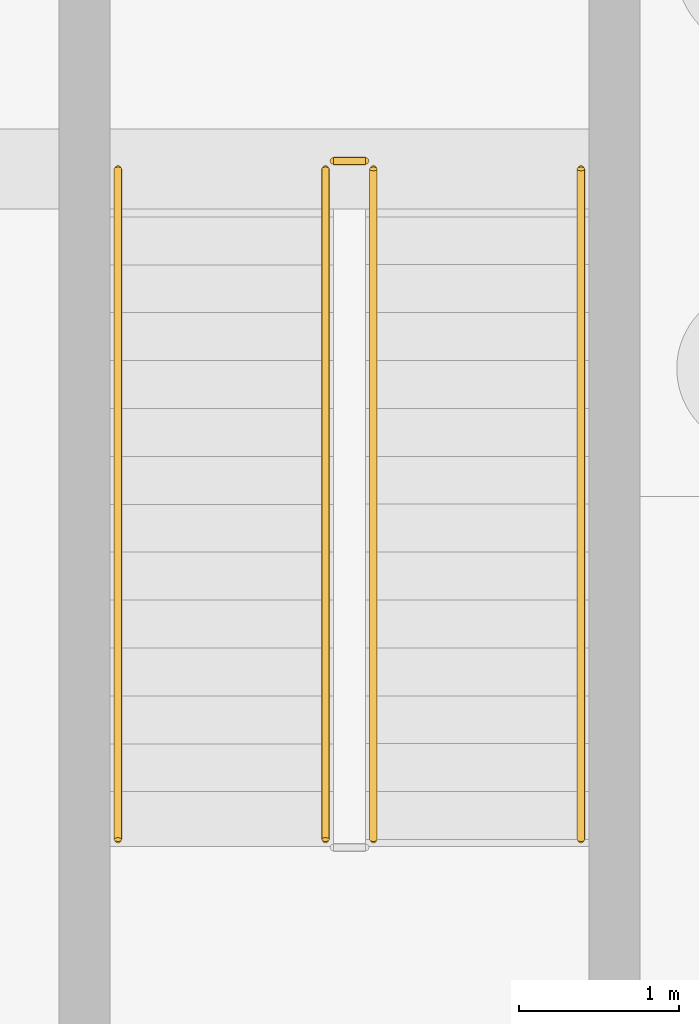
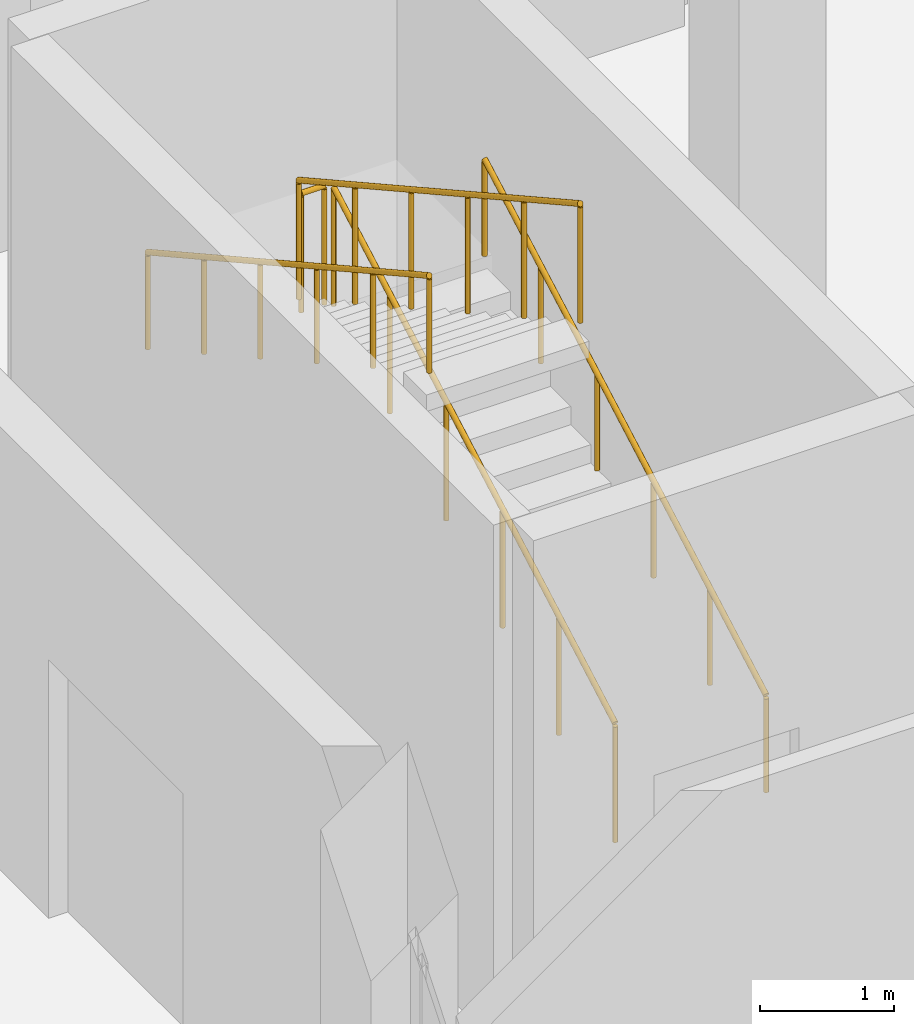
# One storey, part 164 of 173: 5 railings.
"""IFC4 building model written with IfcOpenShell, lengths in metres."""

from ifc_helpers import new_model, si_unit, direction, frame, origin, origin_2d, place, context, subcontext, project, spatial, circle, extrude, material, type_object, element, save


model = new_model("IFC4")

# Units and contexts
model_context = context("Model", 3, precision=1e-05, world=origin(), true_north=direction((0.0, 1.0)))
body_context = subcontext(model_context, "Body", "Model", "MODEL_VIEW")
ifc_project = project(units=[si_unit("LENGTHUNIT", "METRE"), si_unit("AREAUNIT", "SQUARE_METRE"), si_unit("VOLUMEUNIT", "CUBIC_METRE"), si_unit("PLANEANGLEUNIT", "RADIAN"), si_unit("MASSUNIT", "GRAM", prefix="KILO")], contexts=[model_context])

# Site, building, storey
site_placement = place(None, origin())
site = spatial("IfcSite", under=ifc_project, at=site_placement, CompositionType="ELEMENT")
building_placement = place(site_placement, origin())
building = spatial("IfcBuilding", under=site, at=building_placement, Name="Mawjan Specialist Oncology Clinic", CompositionType="ELEMENT")
storey_placement = place(building_placement, origin())
storey = spatial("IfcBuildingStorey", under=building, at=storey_placement, Name="L00", CompositionType="ELEMENT", Elevation=0.0)

# Railings
ifc_material_1 = material(Name="Powder-coated steel stair guard with vertical infill pickets", Category="steel")
railing_type_1 = type_object("IfcRailingType", Name="GR-110", PredefinedType="GUARDRAIL", material=ifc_material_1)
railing_1_placement = place(storey_placement, frame((3.85009765625, 26.60009765625, 0.166748046875)))
element("IfcRailing", 1, at=railing_1_placement, inside=storey, type_object=railing_type_1, Name="L00 ST-02 stair guard 1", PredefinedType="GUARDRAIL", context=body_context, shape_type="SweptSolid", body=[
    extrude(circle(Radius=0.02392578125, at=origin_2d()), frame((0.0, 0.0, 1.076171875), z_axis=(0.0, 0.874162069901, 0.485634302275), x_axis=(-1.0, 0.0, 0.0)), (0.0, 0.0, 1.0), 4.804443359375),
    extrude(circle(Radius=0.02099609375, at=origin_2d()), origin(), (0.0, 0.0, 1.0), 1.052001953125),
    extrude(circle(Radius=0.02099609375, at=origin_2d()), frame((0.0, 0.840087890625, 0.466552734375)), (0.0, 0.0, 1.0), 1.052001953125),
    extrude(circle(Radius=0.02099609375, at=origin_2d()), frame((0.0, 1.679931640625, 0.933349609375)), (0.0, 0.0, 1.0), 1.052001953125),
    extrude(circle(Radius=0.02099609375, at=origin_2d()), frame((0.0, 2.52001953125, 1.39990234375)), (0.0, 0.0, 1.0), 1.052001953125),
    extrude(circle(Radius=0.02099609375, at=origin_2d()), frame((0.0, 3.35986328125, 1.86669921875)), (0.0, 0.0, 1.0), 1.052001953125),
    extrude(circle(Radius=0.02099609375, at=origin_2d()), frame((0.0, 4.199951171875, 2.333251953125)), (0.0, 0.0, 1.0), 1.052001953125),
])
railing_2_placement = place(storey_placement, frame((3.800048828125, 30.85009765625, 2.5)))
element("IfcRailing", 2, at=railing_2_placement, inside=storey, type_object=railing_type_1, Name="L00 ST-02 stair guard 2", PredefinedType="GUARDRAIL", context=body_context, shape_type="SweptSolid", body=[
    extrude(circle(Radius=0.02392578125, at=origin_2d()), frame((0.0, 0.0, 1.076171875), z_axis=(-1.0, 0.0, 0.0), x_axis=(0.0, -1.0, 0.0)), (0.0, 0.0, 1.0), 0.199951171875),
    extrude(circle(Radius=0.02099609375, at=origin_2d()), origin(), (0.0, 0.0, 1.0), 1.052001953125),
    extrude(circle(Radius=0.02099609375, at=origin_2d()), frame((-0.199951171875, 0.0, 0.0)), (0.0, 0.0, 1.0), 1.052001953125),
])
railing_3_placement = place(storey_placement, frame((3.550048828125, 30.800048828125, 2.666748046875)))
element("IfcRailing", 3, at=railing_3_placement, inside=storey, type_object=railing_type_1, Name="L00 ST-02 stair guard 3", PredefinedType="GUARDRAIL", context=body_context, shape_type="SweptSolid", body=[
    extrude(circle(Radius=0.02392578125, at=origin_2d()), frame((0.0, 0.0, 1.076171875), z_axis=(0.0, -0.874162069901, 0.485634302275), x_axis=(1.0, 0.0, 0.0)), (0.0, 0.0, 1.0), 4.804443359375),
    extrude(circle(Radius=0.02099609375, at=origin_2d()), origin(), (0.0, 0.0, 1.0), 1.052001953125),
    extrude(circle(Radius=0.02099609375, at=origin_2d()), frame((0.0, -0.840087890625, 0.466552734375)), (0.0, 0.0, 1.0), 1.052001953125),
    extrude(circle(Radius=0.02099609375, at=origin_2d()), frame((0.0, -1.679931640625, 0.933349609375)), (0.0, 0.0, 1.0), 1.052001953125),
    extrude(circle(Radius=0.02099609375, at=origin_2d()), frame((0.0, -2.52001953125, 1.39990234375)), (0.0, 0.0, 1.0), 1.052001953125),
    extrude(circle(Radius=0.02099609375, at=origin_2d()), frame((0.0, -3.35986328125, 1.86669921875)), (0.0, 0.0, 1.0), 1.052001953125),
    extrude(circle(Radius=0.02099609375, at=origin_2d()), frame((0.0, -4.199951171875, 2.333251953125)), (0.0, 0.0, 1.0), 1.052001953125),
])
ifc_material_2 = material(Name="Brushed stainless-steel tubular handrail", Category="steel")
railing_type_2 = type_object("IfcRailingType", Name="HR-090", PredefinedType="HANDRAIL", material=ifc_material_2)
railing_4_placement = place(storey_placement, frame((5.14990234375, 26.60009765625, 0.166748046875)))
element("IfcRailing", 4, at=railing_4_placement, inside=storey, type_object=railing_type_2, Name="L00 ST-02 stair handrail 1", PredefinedType="HANDRAIL", context=body_context, shape_type="SweptSolid", body=[
    extrude(circle(Radius=0.02392578125, at=origin_2d()), frame((0.0, 0.0, 0.8759765625), z_axis=(0.0, 0.874162069901, 0.485634302275), x_axis=(-1.0, 0.0, 0.0)), (0.0, 0.0, 1.0), 4.804443359375),
    extrude(circle(Radius=0.02099609375, at=origin_2d()), origin(), (0.0, 0.0, 1.0), 0.851806640625),
    extrude(circle(Radius=0.02099609375, at=origin_2d()), frame((0.0, 0.840087890625, 0.466552734375)), (0.0, 0.0, 1.0), 0.851806640625),
    extrude(circle(Radius=0.02099609375, at=origin_2d()), frame((0.0, 1.679931640625, 0.933349609375)), (0.0, 0.0, 1.0), 0.851806640625),
    extrude(circle(Radius=0.02099609375, at=origin_2d()), frame((0.0, 2.52001953125, 1.39990234375)), (0.0, 0.0, 1.0), 0.851806640625),
    extrude(circle(Radius=0.02099609375, at=origin_2d()), frame((0.0, 3.35986328125, 1.86669921875)), (0.0, 0.0, 1.0), 0.851806640625),
    extrude(circle(Radius=0.02099609375, at=origin_2d()), frame((0.0, 4.199951171875, 2.333251953125)), (0.0, 0.0, 1.0), 0.851806640625),
])
railing_5_placement = place(storey_placement, frame((2.25, 30.800048828125, 2.666748046875)))
element("IfcRailing", 5, at=railing_5_placement, inside=storey, type_object=railing_type_2, Name="L00 ST-02 stair handrail 2", PredefinedType="HANDRAIL", context=body_context, shape_type="SweptSolid", body=[
    extrude(circle(Radius=0.02392578125, at=origin_2d()), frame((0.0, 0.0, 0.8759765625), z_axis=(0.0, -0.874162069901, 0.485634302275), x_axis=(1.0, 0.0, 0.0)), (0.0, 0.0, 1.0), 4.804443359375),
    extrude(circle(Radius=0.02099609375, at=origin_2d()), origin(), (0.0, 0.0, 1.0), 0.851806640625),
    extrude(circle(Radius=0.02099609375, at=origin_2d()), frame((0.0, -0.840087890625, 0.466552734375)), (0.0, 0.0, 1.0), 0.851806640625),
    extrude(circle(Radius=0.02099609375, at=origin_2d()), frame((0.0, -1.679931640625, 0.933349609375)), (0.0, 0.0, 1.0), 0.851806640625),
    extrude(circle(Radius=0.02099609375, at=origin_2d()), frame((0.0, -2.52001953125, 1.39990234375)), (0.0, 0.0, 1.0), 0.851806640625),
    extrude(circle(Radius=0.02099609375, at=origin_2d()), frame((0.0, -3.35986328125, 1.86669921875)), (0.0, 0.0, 1.0), 0.851806640625),
    extrude(circle(Radius=0.02099609375, at=origin_2d()), frame((0.0, -4.199951171875, 2.333251953125)), (0.0, 0.0, 1.0), 0.851806640625),
])

save(model, "model.ifc")
